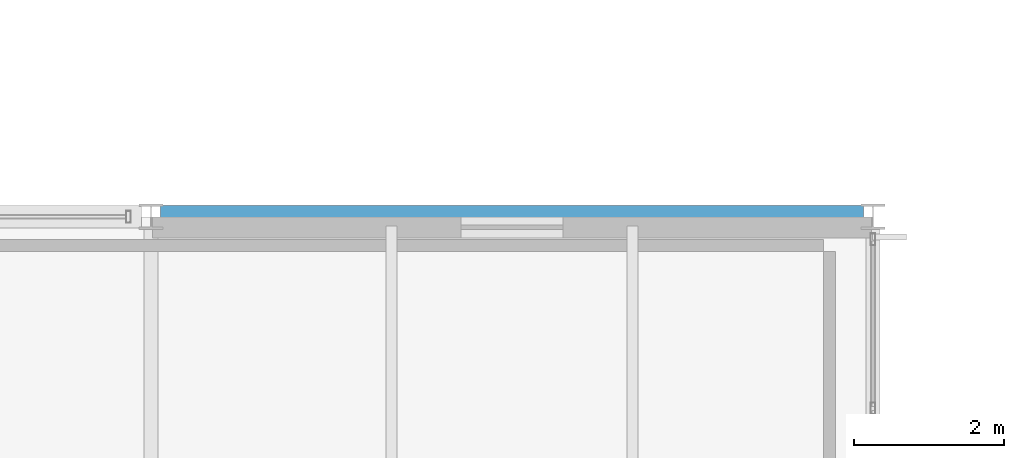
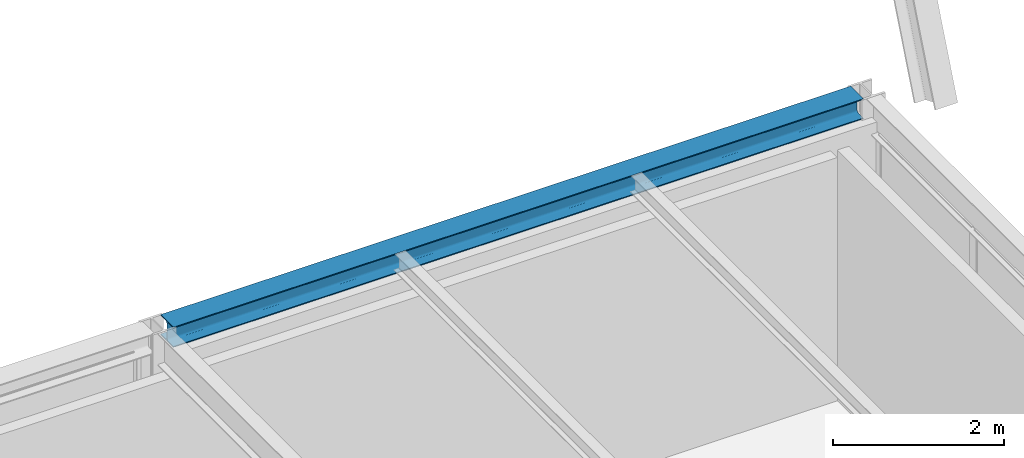
# One storey, part 52 of 126: 1 beam.
"""IFC4 building model written with IfcOpenShell, lengths in metres."""

from ifc_helpers import new_model, si_unit, direction, frame, origin, origin_2d, place, context, subcontext, project, spatial, i_section, extrude, material, material_profile, profile_set, type_object, element, save


model = new_model("IFC4")

# Units and contexts
model_context = context("Model", 3, precision=1e-05, world=origin(), true_north=direction((0.0, 1.0)))
body_context = subcontext(model_context, "Body", "Model", "MODEL_VIEW")
ifc_project = project(units=[si_unit("LENGTHUNIT", "METRE"), si_unit("AREAUNIT", "SQUARE_METRE"), si_unit("VOLUMEUNIT", "CUBIC_METRE"), si_unit("PLANEANGLEUNIT", "RADIAN"), si_unit("MASSUNIT", "GRAM", prefix="KILO")], contexts=[model_context])

# Site, building, storey
site_placement = place(None, origin())
site = spatial("IfcSite", under=ifc_project, at=site_placement, CompositionType="ELEMENT")
building_placement = place(site_placement, origin())
building = spatial("IfcBuilding", under=site, at=building_placement, Name="Coralgate Yard Interchange", CompositionType="ELEMENT")
storey_placement = place(building_placement, frame((0.0, 0.0, 10.5)))
storey = spatial("IfcBuildingStorey", under=building, at=storey_placement, Name="L02", CompositionType="ELEMENT", Elevation=10.5)

# Beam
ifc_material = material(Name="Structural steel S355J2", Category="steel")
ifc_material_profile = material_profile(ifc_material, i_section(OverallWidth=0.300048828125, OverallDepth=0.2900390625, WebThickness=0.008544921875, FlangeThickness=0.013916015625, FilletRadius=0.027099609375, at=origin_2d()), Name="HEA 300")
ifc_profile_set = profile_set([ifc_material_profile], Name="Structural steel S355J2")
beam_type = type_object("IfcBeamType", Name="BM-SP-2", PredefinedType="SPANDREL", material=ifc_profile_set)
beam_placement = place(storey_placement, frame((86.527099609375, 19.199951171875, 3.804931640625), z_axis=(1.0, 0.0, 0.0), x_axis=(0.0, 1.0, 0.0)))
element("IfcBeam", 1, at=beam_placement, inside=storey, type_object=beam_type, Name="L02 primary grid beam Y2 X9-10", PredefinedType="SPANDREL", context=body_context, shape_type="SweptSolid", body=[
    extrude(i_section(OverallWidth=0.300048828125, OverallDepth=0.2900390625, WebThickness=0.008544921875, FlangeThickness=0.013916015625, FilletRadius=0.027099609375, at=origin_2d()), origin(), (0.0, 0.0, 1.0), 9.345703125),
])

save(model, "model.ifc")
